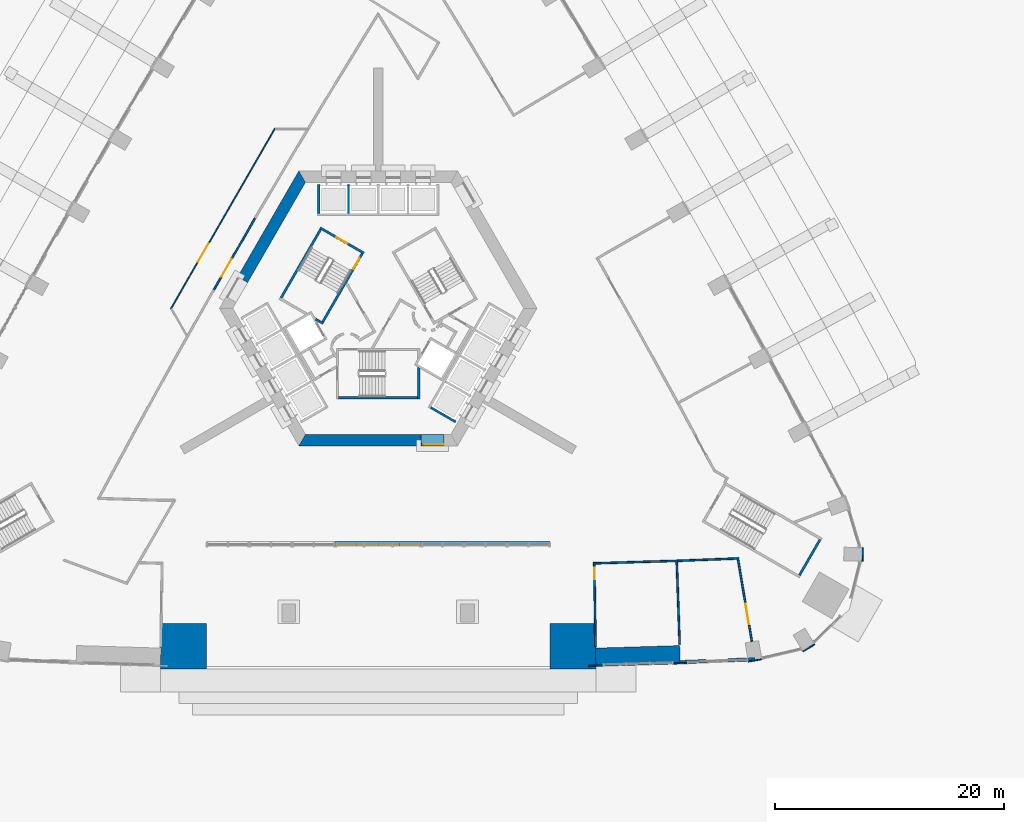
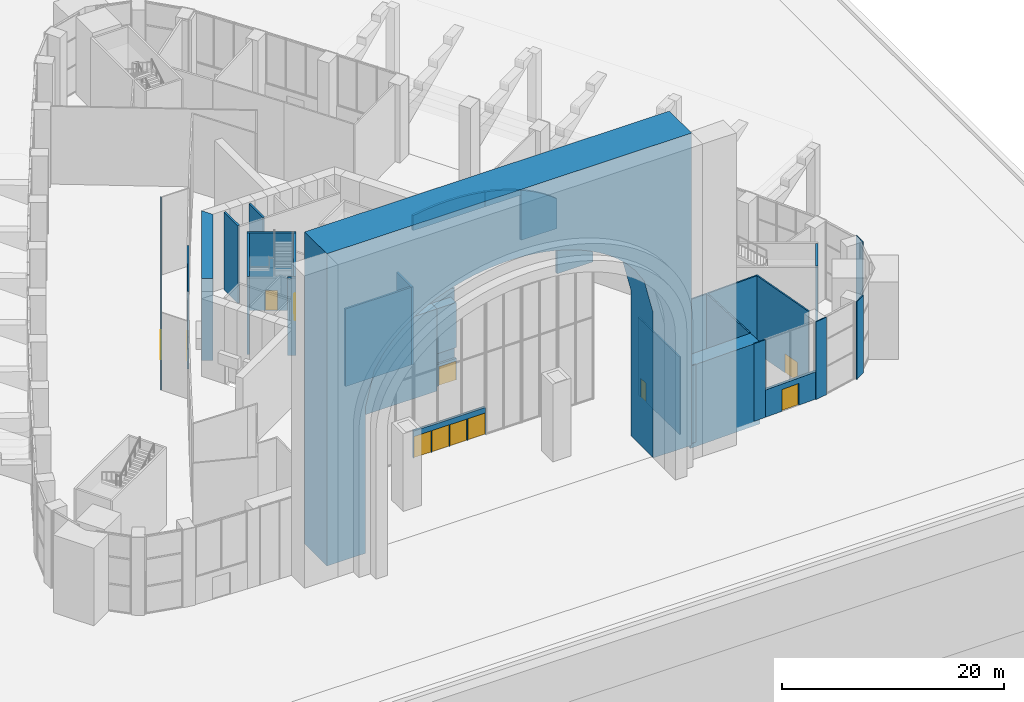
# One storey, part 16 of 36: 34 walls, 12 doors, 12 openings.
"""IFC4 building model written with IfcOpenShell, lengths in metres."""

from ifc_helpers import new_model, si_unit, direction, frame, frame_2d, origin, place, context, subcontext, project, spatial, polyline, rectangle, outline, extrude, material, layer, layer_set, type_object, element, fill, save


model = new_model("IFC4")

# Units and contexts
model_context = context("Model", 3, precision=1e-05, world=origin(), true_north=direction((0.0, 1.0)))
body_context = subcontext(model_context, "Body", "Model", "MODEL_VIEW")
ifc_project = project(units=[si_unit("LENGTHUNIT", "METRE"), si_unit("AREAUNIT", "SQUARE_METRE"), si_unit("VOLUMEUNIT", "CUBIC_METRE"), si_unit("PLANEANGLEUNIT", "RADIAN"), si_unit("MASSUNIT", "GRAM", prefix="KILO")], contexts=[model_context])

# Site, building, storey
site_placement = place(None, origin())
site = spatial("IfcSite", under=ifc_project, at=site_placement, CompositionType="ELEMENT")
building_placement = place(site_placement, origin())
building = spatial("IfcBuilding", under=site, at=building_placement, Name="Entoto Arch Interchange Tower", CompositionType="ELEMENT")
storey_placement = place(building_placement, origin())
storey = spatial("IfcBuildingStorey", under=building, at=storey_placement, Name="L00", CompositionType="ELEMENT", Elevation=0.0)

# Walls
ifc_material_1 = material(Name="Concrete C60/75", Category="concrete")
ifc_layer_1 = layer(ifc_material_1, 1.60009765625)
ifc_layer_set_1 = layer_set([ifc_layer_1], Name="Concrete C60/75")
wall_type_1 = type_object("IfcWallType", Name="Arch leg wall 1600 C60/75", PredefinedType="SHEAR", material=ifc_layer_set_1)
wall_1_placement = place(storey_placement, frame((0.0, 0.0, -0.5)))
element("IfcWall", 1, at=wall_1_placement, inside=storey, type_object=wall_type_1, Name="Arch leg E L00", PredefinedType="SHEAR", context=body_context, shape_type="SweptSolid", body=[
    extrude(outline(polyline([(19.0, -28.761962890625), (26.376953125, -28.5400390625), (26.321044921875, -26.94091796875), (18.97607421875, -27.162109375), (19.0, -28.761962890625)])), origin(), (0.0, 0.0, 1.0), 9.050048828125),
])
ifc_layer_2 = layer(ifc_material_1, 4.0)
ifc_layer_set_2 = layer_set([ifc_layer_2], Name="Concrete C60/75")
wall_type_2 = type_object("IfcWallType", Name="Arch transfer wall 4000 C60/75", PredefinedType="SHEAR", material=ifc_layer_set_2)
wall_2_placement = place(storey_placement, frame((-19.0, -25.0, 34.39990234375), z_axis=(0.0, 1.0, 0.0), x_axis=(1.0, 0.0, 0.0)))
element("IfcWall", 2, at=wall_2_placement, inside=storey, type_object=wall_type_2, Name="Arch transfer wall", PredefinedType="SHEAR", context=body_context, shape_type="SweptSolid", body=[
    extrude(outline(polyline([(0.0, 0.0), (38.0, 0.0), (38.0, 34.39990234375), (34.0, 34.39990234375), (34.0, 18.39990234375), (33.06201171875, 14.572021484375), (32.125, 13.074951171875), (31.18798828125, 11.98681640625), (30.25, 11.1240234375), (29.31201171875, 10.411865234375), (28.375, 9.81298828125), (27.43798828125, 9.304931640625), (26.5, 8.8740234375), (25.56201171875, 8.5087890625), (24.625, 8.202880859375), (23.68798828125, 7.950927734375), (22.75, 7.7490234375), (21.81201171875, 7.594970703125), (20.875, 7.48583984375), (19.93798828125, 7.421875), (19.0, 7.39990234375), (18.06201171875, 7.421875), (17.125, 7.48583984375), (16.18798828125, 7.594970703125), (15.25, 7.7490234375), (14.31201171875, 7.950927734375), (13.375, 8.202880859375), (12.43798828125, 8.5087890625), (11.5, 8.8740234375), (10.56201171875, 9.304931640625), (9.625, 9.81298828125), (8.68798828125, 10.411865234375), (7.75, 11.1240234375), (6.81201171875, 11.98681640625), (5.875, 13.074951171875), (4.93798828125, 14.572021484375), (4.0, 18.39990234375), (4.0, 34.39990234375), (0.0, 34.39990234375), (0.0, 0.0)])), origin(), (0.0, 0.0, -1.0), 4.0),
])

# Wall, opening, door
ifc_material_2 = material(Name="Reinforced concrete C40/50", Category="concrete")
ifc_layer_3 = layer(ifc_material_2, 0.199951171875)
ifc_layer_set_3 = layer_set([ifc_layer_3], Name="Reinforced concrete C40/50")
wall_type_3 = type_object("IfcWallType", Name="CORE GAP INFILL WALL", PredefinedType="PARTITIONING", material=ifc_layer_set_3)
wall_3_placement = place(storey_placement, frame((3.75, -9.39990234375, 0.0), z_axis=(0.0, 0.0, 1.0), x_axis=(1.0, 0.0, 0.0)))
wall_3 = element("IfcWall", 3, at=wall_3_placement, inside=storey, type_object=wall_type_3, Name="wall:L00:gap1", PredefinedType="PARTITIONING", context=body_context, shape_type="SweptSolid", body=[
    extrude(rectangle(XDim=2.0, YDim=0.199951171875, at=frame_2d((1.0, 0.0))), origin(), (0.0, 0.0, 1.0), 2.39990234375),
])
opening_1_placement = place(wall_3_placement, frame((0.18994140625, 0.0, 0.0)))
opening_1 = element("IfcOpeningElement", 4, at=opening_1_placement, cuts=wall_3, Name="Opening L00-D91", PredefinedType="OPENING", context=body_context, shape_type="SweptSolid", body=[
    extrude(rectangle(XDim=1.800048828125, YDim=2.10009765625, at=frame_2d((0.89990234375, 1.050048828125))), frame((0.0, 0.10986328125, 0.0), z_axis=(0.0, -1.0, 0.0), x_axis=(1.0, 0.0, 0.0)), (0.0, 0.0, 1.0), 0.219970703125),
])
ifc_material_3 = material(Name="Fire-rated Steel S235 door and frame", Category="steel")
door_type_1 = type_object("IfcDoorType", Name="DOOR FD-18 1800x2100", OperationType="DOUBLE_DOOR_SINGLE_SWING", PredefinedType="DOOR", material=ifc_material_3)
door_1_placement = place(opening_1_placement, origin())
door_1 = element("IfcDoor", 5, at=door_1_placement, inside=storey, type_object=door_type_1, Name="door:L00:gap1", OperationType="DOUBLE_DOOR_SINGLE_SWING", OverallHeight=2.10009765625, OverallWidth=1.800048828125, PredefinedType="DOOR", context=body_context, shape_type="SweptSolid", body=[
    extrude(rectangle(XDim=1.800048828125, YDim=2.10009765625, at=frame_2d((0.89990234375, 1.050048828125))), frame((0.0, 0.02490234375, 0.0), z_axis=(0.0, -1.0, 0.0), x_axis=(1.0, 0.0, 0.0)), (0.0, 0.0, 1.0), 0.050048828125),
])
fill(opening_1, door_1)

# Walls
ifc_layer_4 = layer(ifc_material_1, 1.0)
ifc_layer_set_4 = layer_set([ifc_layer_4], Name="Concrete C60/75")
wall_type_4 = type_object("IfcWallType", Name="Core wall 1000 C60/75", PredefinedType="SHEAR", material=ifc_layer_set_4)
wall_4_placement = place(storey_placement, frame((0.0, 0.0, -0.5)))
element("IfcWall", 6, at=wall_4_placement, inside=storey, type_object=wall_type_4, Name="Core wall NW L00", PredefinedType="SHEAR", context=body_context, shape_type="SweptSolid", body=[
    extrude(outline(polyline([(-12.26708984375, 5.251953125), (-11.402099609375, 4.751953125), (-6.35107421875, 13.5), (-6.927978515625, 14.5), (-12.26708984375, 5.251953125)])), origin(), (0.0, 0.0, 1.0), 9.050048828125),
])
wall_5_placement = place(storey_placement, frame((0.0, 0.0, -0.5)))
element("IfcWall", 7, at=wall_5_placement, inside=storey, type_object=wall_type_4, Name="Core wall S L00", PredefinedType="SHEAR", context=body_context, shape_type="SweptSolid", body=[
    extrude(outline(polyline([(3.75, -9.5), (3.75, -8.5), (-6.35107421875, -8.5), (-6.927978515625, -9.5), (3.75, -9.5)])), origin(), (0.0, 0.0, 1.0), 9.050048828125),
])
wall_6_placement = place(storey_placement, frame((0.0, 0.0, 3.60009765625)))
element("IfcWall", 8, at=wall_6_placement, inside=storey, type_object=wall_type_4, Name="Core wall lintel S L00", PredefinedType="SHEAR", context=body_context, shape_type="SweptSolid", body=[
    extrude(outline(polyline([(5.75, -9.5), (5.75, -8.5), (3.75, -8.5), (3.75, -9.5), (5.75, -9.5)])), origin(), (0.0, 0.0, 1.0), 4.949951171875),
])
ifc_material_4 = material(Name="Concrete C40/50", Category="concrete")
ifc_layer_5 = layer(ifc_material_4, 0.199951171875)
ifc_layer_set_5 = layer_set([ifc_layer_5], Name="Concrete C40/50")
wall_type_5 = type_object("IfcWallType", Name="LIFT SHAFT WALL 200", PredefinedType="STANDARD", material=ifc_layer_set_5)
for number, where, z_axis, x_axis, name in (
    (9, (-2.60009765625, 10.800048828125, 0.0), (0.0, 0.0, 1.0), (0.0, 1.0, 0.0), "Shaft wall N3 cross 4"),
    (10, (-5.199951171875, 10.800048828125, 0.0), (0.0, 0.0, 1.0), (0.0, 1.0, 0.0), "Shaft wall N3 cross 5"),
    (11, (4.587890625, -6.153076171875, 0.0), (0.0, 0.0, 1.0), (0.866022959057, -0.500004234368, 0.0), "Shaft wall SE3 cross 1"),
):
    element("IfcWall", number, at=place(storey_placement, frame(where, z_axis=z_axis, x_axis=x_axis)), inside=storey, type_object=wall_type_5, Name=name, PredefinedType="STANDARD", context=body_context, shape_type="SweptSolid", body=[
        extrude(rectangle(XDim=2.5, YDim=0.199951171875, at=frame_2d((1.25, 0.0))), origin(), (0.0, 0.0, 1.0), 8.550048828125),
    ])

# Wall, opening, door
ifc_material_5 = material(Name="Gypsum board partition on steel studs", Category="steel")
ifc_layer_6 = layer(ifc_material_5, 0.10009765625)
ifc_layer_set_6 = layer_set([ifc_layer_6], Name="Gypsum board partition on steel studs")
wall_type_6 = type_object("IfcWallType", Name="PARTITION 100", PredefinedType="PARTITIONING", material=ifc_layer_set_6)
wall_7_placement = place(storey_placement, frame((-18.10693359375, 2.45703125, 0.0), z_axis=(0.0, 0.0, 1.0), x_axis=(0.499997929316, 0.866026599291, 0.0)))
wall_7 = element("IfcWall", 12, at=wall_7_placement, inside=storey, type_object=wall_type_6, Name="wall:L00:p029", PredefinedType="PARTITIONING", context=body_context, shape_type="SweptSolid", body=[
    extrude(rectangle(XDim=18.181640625, YDim=0.10009765625, at=frame_2d((9.0908203125, 0.0))), origin(), (0.0, 0.0, 1.0), 8.550048828125),
])
opening_2_placement = place(wall_7_placement, frame((4.75390625, 0.0, 0.0)))
opening_2 = element("IfcOpeningElement", 13, at=opening_2_placement, cuts=wall_7, Name="Opening L00-D09", PredefinedType="OPENING", context=body_context, shape_type="SweptSolid", body=[
    extrude(rectangle(XDim=1.800048828125, YDim=2.10009765625, at=frame_2d((0.89990234375, 1.050048828125))), frame((0.0, 0.06005859375, 0.0), z_axis=(0.0, -1.0, 0.0), x_axis=(1.0, 0.0, 0.0)), (0.0, 0.0, 1.0), 0.1201171875),
])
ifc_material_6 = material(Name="Timber door leaf in Steel S235 frame", Category="steel")
door_type_2 = type_object("IfcDoorType", Name="DOOR DD-18 1800x2100", OperationType="DOUBLE_DOOR_SINGLE_SWING", PredefinedType="DOOR", material=ifc_material_6)
door_2_placement = place(opening_2_placement, origin())
door_2 = element("IfcDoor", 14, at=door_2_placement, inside=storey, type_object=door_type_2, Name="door:L00:09", OperationType="DOUBLE_DOOR_SINGLE_SWING", OverallHeight=2.10009765625, OverallWidth=1.800048828125, PredefinedType="DOOR", context=body_context, shape_type="SweptSolid", body=[
    extrude(rectangle(XDim=1.800048828125, YDim=2.10009765625, at=frame_2d((0.89990234375, 1.050048828125))), frame((0.0, 0.02490234375, 0.0), z_axis=(0.0, -1.0, 0.0), x_axis=(1.0, 0.0, 0.0)), (0.0, 0.0, 1.0), 0.050048828125),
])
fill(opening_2, door_2)

ifc_layer_7 = layer(ifc_material_5, 0.14990234375)
ifc_layer_set_7 = layer_set([ifc_layer_7], Name="Gypsum board partition on steel studs")
wall_type_7 = type_object("IfcWallType", Name="PARTITION 150", PredefinedType="PARTITIONING", material=ifc_layer_set_7)
wall_8_placement = place(storey_placement, frame((-10.7548828125, 10.35400390625, 0.0), z_axis=(0.0, 0.0, 1.0), x_axis=(-0.49996876383, -0.866043437245, 0.0)))
wall_8 = element("IfcWall", 15, at=wall_8_placement, inside=storey, type_object=wall_type_7, Name="wall:L00:p031", PredefinedType="PARTITIONING", context=body_context, shape_type="SweptSolid", body=[
    extrude(rectangle(XDim=7.1787109375, YDim=0.14990234375, at=frame_2d((3.58935546875, 0.0))), origin(), (0.0, 0.0, 1.0), 8.550048828125),
])
opening_3_placement = place(wall_8_placement, frame((4.0791015625, 0.0, 0.0)))
opening_3 = element("IfcOpeningElement", 16, at=opening_3_placement, cuts=wall_8, Name="Opening L00-D10", PredefinedType="OPENING", context=body_context, shape_type="SweptSolid", body=[
    extrude(rectangle(XDim=1.800048828125, YDim=2.10009765625, at=frame_2d((0.89990234375, 1.050048828125))), frame((0.0, 0.0849609375, 0.0), z_axis=(0.0, -1.0, 0.0), x_axis=(1.0, 0.0, 0.0)), (0.0, 0.0, 1.0), 0.169921875),
])
door_3_placement = place(opening_3_placement, origin())
door_3 = element("IfcDoor", 17, at=door_3_placement, inside=storey, type_object=door_type_2, Name="door:L00:10", OperationType="DOUBLE_DOOR_SINGLE_SWING", OverallHeight=2.10009765625, OverallWidth=1.800048828125, PredefinedType="DOOR", context=body_context, shape_type="SweptSolid", body=[
    extrude(rectangle(XDim=1.800048828125, YDim=2.10009765625, at=frame_2d((0.89990234375, 1.050048828125))), frame((0.0, 0.02490234375, 0.0), z_axis=(0.0, -1.0, 0.0), x_axis=(1.0, 0.0, 0.0)), (0.0, 0.0, 1.0), 0.050048828125),
])
fill(opening_3, door_3)

# Wall
wall_9_placement = place(storey_placement, frame((26.06005859375, -19.469970703125, 0.0), z_axis=(0.0, 0.0, 1.0), x_axis=(0.034912620967, -0.999390368623, 0.0)))
element("IfcWall", 18, at=wall_9_placement, inside=storey, type_object=wall_type_7, Name="wall:L00:p049", PredefinedType="PARTITIONING", context=body_context, shape_type="SweptSolid", body=[
    extrude(rectangle(XDim=7.3564453125, YDim=0.14990234375, at=frame_2d((3.67822265625, 0.0))), origin(), (0.0, 0.0, 1.0), 8.550048828125),
])

# Wall, opening, door
wall_10_placement = place(storey_placement, frame((18.97509765625, -27.0419921875, 0.0), z_axis=(0.0, 0.0, 1.0), x_axis=(-0.015101510801, 0.999885965684, 0.0)))
wall_10 = element("IfcWall", 19, at=wall_10_placement, inside=storey, type_object=wall_type_7, Name="wall:L00:p050", PredefinedType="PARTITIONING", context=body_context, shape_type="SweptSolid", body=[
    extrude(rectangle(XDim=7.355712890625, YDim=0.14990234375, at=frame_2d((3.677734375, 0.0))), origin(), (0.0, 0.0, 1.0), 8.550048828125),
])
opening_4_placement = place(wall_10_placement, frame((5.909912109375, 0.0, 0.0)))
opening_4 = element("IfcOpeningElement", 20, at=opening_4_placement, cuts=wall_10, Name="Opening L00-D02", PredefinedType="OPENING", context=body_context, shape_type="SweptSolid", body=[
    extrude(rectangle(XDim=1.0, YDim=2.10009765625, at=frame_2d((0.5, 1.050048828125))), frame((0.0, 0.0849609375, 0.0), z_axis=(0.0, -1.0, 0.0), x_axis=(1.0, 0.0, 0.0)), (0.0, 0.0, 1.0), 0.169921875),
])
door_type_3 = type_object("IfcDoorType", Name="DOOR FD-10 1000x2100", OperationType="SINGLE_SWING_LEFT", PredefinedType="DOOR", material=ifc_material_3)
door_4_placement = place(opening_4_placement, origin())
door_4 = element("IfcDoor", 21, at=door_4_placement, inside=storey, type_object=door_type_3, Name="door:L00:02", OperationType="SINGLE_SWING_LEFT", OverallHeight=2.10009765625, OverallWidth=1.0, PredefinedType="DOOR", context=body_context, shape_type="SweptSolid", body=[
    extrude(rectangle(XDim=1.0, YDim=2.10009765625, at=frame_2d((0.5, 1.050048828125))), frame((0.0, 0.02490234375, 0.0), z_axis=(0.0, -1.0, 0.0), x_axis=(1.0, 0.0, 0.0)), (0.0, 0.0, 1.0), 0.050048828125),
])
fill(opening_4, door_4)

# Walls
wall_11_placement = place(storey_placement, frame((18.93994140625, -19.760009765625, 0.0), z_axis=(0.0, 0.0, 1.0), x_axis=(0.999544128502, 0.030191640862, 0.0)))
element("IfcWall", 22, at=wall_11_placement, inside=storey, type_object=wall_type_7, Name="wall:L00:p051", PredefinedType="PARTITIONING", context=body_context, shape_type="SweptSolid", body=[
    extrude(rectangle(XDim=7.05126953125, YDim=0.14990234375, at=frame_2d((3.525634765625, 0.0))), origin(), (0.0, 0.0, 1.0), 8.550048828125),
])
wall_12_placement = place(storey_placement, frame((26.139892578125, -19.5419921875, 0.0), z_axis=(0.0, 0.0, 1.0), x_axis=(0.99924214326, 0.038924788152, 0.0)))
element("IfcWall", 23, at=wall_12_placement, inside=storey, type_object=wall_type_7, Name="wall:L00:p052", PredefinedType="PARTITIONING", context=body_context, shape_type="SweptSolid", body=[
    extrude(rectangle(XDim=5.18701171875, YDim=0.14990234375, at=frame_2d((2.593505859375, 0.0))), origin(), (0.0, 0.0, 1.0), 8.550048828125),
])

# Wall, opening, door
wall_13_placement = place(storey_placement, frame((31.385009765625, -19.262939453125, 0.0), z_axis=(0.0, 0.0, 1.0), x_axis=(0.166908436499, -0.985972400134, 0.0)))
wall_13 = element("IfcWall", 24, at=wall_13_placement, inside=storey, type_object=wall_type_7, Name="wall:L00:p053", PredefinedType="PARTITIONING", context=body_context, shape_type="SweptSolid", body=[
    extrude(rectangle(XDim=7.42919921875, YDim=0.14990234375, at=frame_2d((3.714599609375, 0.0))), origin(), (0.0, 0.0, 1.0), 8.550048828125),
])
opening_5_placement = place(wall_13_placement, frame((4.087890625, 0.0, 0.0)))
opening_5 = element("IfcOpeningElement", 25, at=opening_5_placement, cuts=wall_13, Name="Opening L00-D03", PredefinedType="OPENING", context=body_context, shape_type="SweptSolid", body=[
    extrude(rectangle(XDim=1.800048828125, YDim=2.10009765625, at=frame_2d((0.89990234375, 1.050048828125))), frame((0.0, 0.0849609375, 0.0), z_axis=(0.0, -1.0, 0.0), x_axis=(1.0, 0.0, 0.0)), (0.0, 0.0, 1.0), 0.169921875),
])
door_5_placement = place(opening_5_placement, origin())
door_5 = element("IfcDoor", 26, at=door_5_placement, inside=storey, type_object=door_type_2, Name="door:L00:03", OperationType="DOUBLE_DOOR_SINGLE_SWING", OverallHeight=2.10009765625, OverallWidth=1.800048828125, PredefinedType="DOOR", context=body_context, shape_type="SweptSolid", body=[
    extrude(rectangle(XDim=1.800048828125, YDim=2.10009765625, at=frame_2d((0.89990234375, 1.050048828125))), frame((0.0, 0.02490234375, 0.0), z_axis=(0.0, -1.0, 0.0), x_axis=(1.0, 0.0, 0.0)), (0.0, 0.0, 1.0), 0.050048828125),
])
fill(opening_5, door_5)

# Walls
ifc_layer_8 = layer(ifc_material_4, 0.199951171875)
ifc_layer_set_8 = layer_set([ifc_layer_8], Name="Concrete C40/50")
wall_type_8 = type_object("IfcWallType", Name="STAIR ENCLOSURE WALL 200", PredefinedType="STANDARD", material=ifc_layer_set_8)
wall_14_placement = place(storey_placement, frame((3.550048828125, -2.6669921875, 0.0), z_axis=(0.0, 0.0, 1.0), x_axis=(0.0, -1.0, 0.0)))
element("IfcWall", 27, at=wall_14_placement, inside=storey, type_object=wall_type_8, Name="Stair wall ST-S far", PredefinedType="STANDARD", context=body_context, shape_type="SweptSolid", body=[
    extrude(rectangle(XDim=2.73291015625, YDim=0.199951171875, at=frame_2d((1.366455078125, 0.0))), origin(), (0.0, 0.0, 1.0), 8.550048828125),
])
wall_15_placement = place(storey_placement, frame((-3.449951171875, -5.300048828125, 0.0), z_axis=(0.0, 0.0, 1.0), x_axis=(1.0, 0.0, 0.0)))
element("IfcWall", 28, at=wall_15_placement, inside=storey, type_object=wall_type_8, Name="Stair wall ST-S back", PredefinedType="STANDARD", context=body_context, shape_type="SweptSolid", body=[
    extrude(rectangle(XDim=6.89990234375, YDim=0.199951171875, at=frame_2d((3.449951171875, 0.0))), origin(), (0.0, 0.0, 1.0), 8.550048828125),
])

# Wall, opening, door
wall_16_placement = place(storey_placement, frame((-1.256103515625, 7.323974609375, 0.0), z_axis=(0.0, 0.0, 1.0), x_axis=(-0.866046073146, 0.499964197906, 0.0)))
wall_16 = element("IfcWall", 29, at=wall_16_placement, inside=storey, type_object=wall_type_8, Name="Stair wall ST-NW near", PredefinedType="STANDARD", context=body_context, shape_type="SweptSolid", body=[
    extrude(rectangle(XDim=4.400146484375, YDim=0.199951171875, at=frame_2d((2.2001953125, 0.0))), origin(), (0.0, 0.0, 1.0), 8.550048828125),
])
opening_6_placement = place(wall_16_placement, frame((1.64990234375, 0.0, 0.0)))
opening_6 = element("IfcOpeningElement", 30, at=opening_6_placement, cuts=wall_16, Name="Opening SD-ST-NW-L00-E", PredefinedType="OPENING", context=body_context, shape_type="SweptSolid", body=[
    extrude(rectangle(XDim=1.10009765625, YDim=2.199951171875, at=frame_2d((0.550048828125, 1.10009765625))), frame((0.0, 0.10986328125, 0.0), z_axis=(0.0, -1.0, 0.0), x_axis=(1.0, 0.0, 0.0)), (0.0, 0.0, 1.0), 0.219970703125),
])
ifc_material_7 = material(Name="Steel S235", Category="steel")
door_type_4 = type_object("IfcDoorType", Name="STAIR DOOR SD1 1100x2200", OperationType="SINGLE_SWING_LEFT", PredefinedType="DOOR", material=ifc_material_7)
door_6_placement = place(opening_6_placement, origin())
door_6 = element("IfcDoor", 31, at=door_6_placement, inside=storey, type_object=door_type_4, Name="Stair door ST-NW L00 end", OperationType="SINGLE_SWING_LEFT", OverallHeight=2.199951171875, OverallWidth=1.10009765625, PredefinedType="DOOR", context=body_context, shape_type="SweptSolid", body=[
    extrude(rectangle(XDim=1.10009765625, YDim=2.199951171875, at=frame_2d((0.550048828125, 1.10009765625))), frame((0.0, 0.02490234375, 0.0), z_axis=(0.0, -1.0, 0.0), x_axis=(1.0, 0.0, 0.0)), (0.0, 0.0, 1.0), 0.050048828125),
])
fill(opening_6, door_6)

# Wall
wall_17_placement = place(storey_placement, frame((-4.805908203125, 1.176025390625, 0.0), z_axis=(0.0, 0.0, 1.0), x_axis=(-0.866558586415, 0.499075361355, 0.0)))
element("IfcWall", 32, at=wall_17_placement, inside=storey, type_object=wall_type_8, Name="Stair wall ST-NW far return", PredefinedType="STANDARD", context=body_context, shape_type="SweptSolid", body=[
    extrude(rectangle(XDim=0.75146484375, YDim=0.199951171875, at=frame_2d((0.375732421875, 0.0))), origin(), (0.0, 0.0, 1.0), 8.550048828125),
])

# Wall, opening, door
wall_18_placement = place(storey_placement, frame((-1.39306640625, 7.2880859375, 0.0), z_axis=(0.0, 0.0, 1.0), x_axis=(-0.499963383562, -0.866046543262, 0.0)))
wall_18 = element("IfcWall", 33, at=wall_18_placement, inside=storey, type_object=wall_type_8, Name="Stair wall ST-NW hall", PredefinedType="STANDARD", context=body_context, shape_type="SweptSolid", body=[
    extrude(rectangle(XDim=6.900390625, YDim=0.199951171875, at=frame_2d((3.4501953125, 0.0))), origin(), (0.0, 0.0, 1.0), 8.550048828125),
])
opening_7_placement = place(wall_18_placement, frame((0.449951171875, 0.0, 0.0)))
opening_7 = element("IfcOpeningElement", 34, at=opening_7_placement, cuts=wall_18, Name="Opening SD-ST-NW-L00", PredefinedType="OPENING", context=body_context, shape_type="SweptSolid", body=[
    extrude(rectangle(XDim=1.10009765625, YDim=2.199951171875, at=frame_2d((0.550048828125, 1.10009765625))), frame((0.0, 0.10986328125, 0.0), z_axis=(0.0, -1.0, 0.0), x_axis=(1.0, 0.0, 0.0)), (0.0, 0.0, 1.0), 0.219970703125),
])
door_7_placement = place(opening_7_placement, origin())
door_7 = element("IfcDoor", 35, at=door_7_placement, inside=storey, type_object=door_type_4, Name="Stair door ST-NW L00", OperationType="SINGLE_SWING_LEFT", OverallHeight=2.199951171875, OverallWidth=1.10009765625, PredefinedType="DOOR", context=body_context, shape_type="SweptSolid", body=[
    extrude(rectangle(XDim=1.10009765625, YDim=2.199951171875, at=frame_2d((0.550048828125, 1.10009765625))), frame((0.0, 0.02490234375, 0.0), z_axis=(0.0, -1.0, 0.0), x_axis=(1.0, 0.0, 0.0)), (0.0, 0.0, 1.0), 0.050048828125),
])
fill(opening_7, door_7)

# Walls
wall_19_placement = place(storey_placement, frame((-5.030029296875, 9.387939453125, 0.0), z_axis=(0.0, 0.0, 1.0), x_axis=(-0.499978703459, -0.866037698999, 0.0)))
element("IfcWall", 36, at=wall_19_placement, inside=storey, type_object=wall_type_8, Name="Stair wall ST-NW back", PredefinedType="STANDARD", context=body_context, shape_type="SweptSolid", body=[
    extrude(rectangle(XDim=6.900146484375, YDim=0.199951171875, at=frame_2d((3.4501953125, 0.0))), origin(), (0.0, 0.0, 1.0), 8.550048828125),
])
wall_20_placement = place(storey_placement, frame((36.77197265625, -20.80908203125, 0.0), z_axis=(0.0, 0.0, 1.0), x_axis=(0.49995333141, 0.866052346231, 0.0)))
element("IfcWall", 37, at=wall_20_placement, inside=storey, type_object=wall_type_8, Name="Stair wall PST-SE far", PredefinedType="STANDARD", context=body_context, shape_type="SweptSolid", body=[
    extrude(rectangle(XDim=3.600341796875, YDim=0.199951171875, at=frame_2d((1.80029296875, 0.0))), origin(), (0.0, 0.0, 1.0), 8.550048828125),
])

# Wall, opening, door
ifc_material_8 = material(Name="Welded tuff (ignimbrite) cladding, warm buff", Category="masonry")
ifc_layer_9 = layer(ifc_material_8, 0.300048828125)
ifc_layer_set_9 = layer_set([ifc_layer_9], Name="Welded tuff (ignimbrite) cladding, warm buff")
wall_type_9 = type_object("IfcWallType", Name="STONE INFILL WALL 300", PredefinedType="STANDARD", material=ifc_layer_set_9)
wall_21_placement = place(storey_placement, frame((32.906005859375, -28.134033203125, 0.0), z_axis=(0.0, 0.0, 1.0), x_axis=(-0.999234642094, -0.039116876654, 0.0)))
wall_21 = element("IfcWall", 38, at=wall_21_placement, inside=storey, type_object=wall_type_9, Name="Entrance wall S-05 L00", PredefinedType="STANDARD", context=body_context, shape_type="SweptSolid", body=[
    extrude(rectangle(XDim=6.541015625, YDim=0.300048828125, at=frame_2d((3.2705078125, 0.0))), origin(), (0.0, 0.0, 1.0), 3.0),
])
opening_8_placement = place(wall_21_placement, frame((2.37109375, 0.0, 0.0)))
opening_8 = element("IfcOpeningElement", 39, at=opening_8_placement, cuts=wall_21, Name="Opening DX-S-05", PredefinedType="OPENING", context=body_context, shape_type="SweptSolid", body=[
    extrude(rectangle(XDim=1.800048828125, YDim=2.39990234375, at=frame_2d((0.89990234375, 1.199951171875))), frame((0.0, 0.16015625, 0.0), z_axis=(0.0, -1.0, 0.0), x_axis=(1.0, 0.0, 0.0)), (0.0, 0.0, 1.0), 0.320068359375),
])
ifc_material_9 = material(Name="Aluminium and clear glass, anodised", Category="aluminium")
door_type_5 = type_object("IfcDoorType", Name="EXIT DOOR DX 1800x2400", OperationType="DOUBLE_DOOR_SINGLE_SWING", PredefinedType="DOOR", material=ifc_material_9)
door_8_placement = place(opening_8_placement, origin())
door_8 = element("IfcDoor", 40, at=door_8_placement, inside=storey, type_object=door_type_5, Name="Exit door S-05", OperationType="DOUBLE_DOOR_SINGLE_SWING", OverallHeight=2.39990234375, OverallWidth=1.800048828125, PredefinedType="DOOR", context=body_context, shape_type="SweptSolid", body=[
    extrude(rectangle(XDim=1.800048828125, YDim=2.39990234375, at=frame_2d((0.89990234375, 1.199951171875))), frame((0.0, 0.02490234375, 0.0), z_axis=(0.0, -1.0, 0.0), x_axis=(1.0, 0.0, 0.0)), (0.0, 0.0, 1.0), 0.050048828125),
])
fill(opening_8, door_8)

# Walls
ifc_layer_10 = layer(ifc_material_8, 0.10009765625)
ifc_layer_set_10 = layer_set([ifc_layer_10], Name="Welded tuff (ignimbrite) cladding, warm buff")
wall_type_10 = type_object("IfcWallType", Name="STONE PIER CLADDING 100", PredefinedType="STANDARD", material=ifc_layer_set_10)
wall_22_placement = place(storey_placement, frame((18.39892578125, -28.720947265625, 0.0), z_axis=(0.0, 0.0, 1.0), x_axis=(0.999886724523, 0.015051183404, 0.0)))
element("IfcWall", 41, at=wall_22_placement, inside=storey, type_object=wall_type_10, Name="Stone pier S04 L00", PredefinedType="STANDARD", context=body_context, shape_type="SweptSolid", body=[
    extrude(rectangle(XDim=1.200439453125, YDim=0.10009765625, at=frame_2d((0.60009765625, 0.0))), origin(), (0.0, 0.0, 1.0), 8.550048828125),
])
wall_23_placement = place(storey_placement, frame((25.77587890625, -28.510986328125, 0.0), z_axis=(0.0, 0.0, 1.0), x_axis=(0.999387493042, 0.034994838926, 0.0)))
element("IfcWall", 42, at=wall_23_placement, inside=storey, type_object=wall_type_10, Name="Stone pier S05 L00", PredefinedType="STANDARD", context=body_context, shape_type="SweptSolid", body=[
    extrude(rectangle(XDim=1.199951171875, YDim=0.10009765625, at=frame_2d((0.60009765625, 0.0))), origin(), (0.0, 0.0, 1.0), 8.550048828125),
])
wall_24_placement = place(storey_placement, frame((32.31103515625, -28.3349609375, 0.0), z_axis=(0.0, 0.0, 1.0), x_axis=(0.986011774526, 0.166675674579, 0.0)))
element("IfcWall", 43, at=wall_24_placement, inside=storey, type_object=wall_type_10, Name="Stone pier S06 L00", PredefinedType="STANDARD", context=body_context, shape_type="SweptSolid", body=[
    extrude(rectangle(XDim=1.19970703125, YDim=0.10009765625, at=frame_2d((0.599853515625, 0.0))), origin(), (0.0, 0.0, 1.0), 8.550048828125),
])
for number, where, z_axis, x_axis, name in (
    (44, (37.080078125, -27.448974609375, 0.0), (0.0, 0.0, 1.0), (0.854716608594, 0.519094903649, 0.0), "Stone pier SE1 L00"),
    (45, (42.283935546875, -19.587890625, 0.0), (0.0, 0.0, 1.0), (0.023391359968, 0.999726384707, 0.0), "Stone pier SE3 L00"),
):
    element("IfcWall", number, at=place(storey_placement, frame(where, z_axis=z_axis, x_axis=x_axis)), inside=storey, type_object=wall_type_10, Name=name, PredefinedType="STANDARD", context=body_context, shape_type="SweptSolid", body=[
        extrude(rectangle(XDim=1.2001953125, YDim=0.10009765625, at=frame_2d((0.60009765625, 0.0))), origin(), (0.0, 0.0, 1.0), 8.550048828125),
    ])
ifc_layer_11 = layer(ifc_material_8, 0.25)
ifc_layer_set_11 = layer_set([ifc_layer_11], Name="Welded tuff (ignimbrite) cladding, warm buff")
wall_type_11 = type_object("IfcWallType", Name="STONE SCREEN WALL 250", PredefinedType="STANDARD", material=ifc_layer_set_11)
wall_25_placement = place(storey_placement, frame((3.75, -18.0, 25.0), z_axis=(0.0, 0.0, 1.0), x_axis=(1.0, 0.0, 0.0)))
element("IfcWall", 46, at=wall_25_placement, inside=storey, type_object=wall_type_11, Name="Arch stone infill ARCH-06", PredefinedType="STANDARD", context=body_context, shape_type="SweptSolid", body=[
    extrude(outline(polyline([(0.0, 0.0), (3.75, 0.0), (3.75, 0.52587890625), (3.125, 0.777099609375), (2.5, 1.0), (1.875, 1.197021484375), (1.25, 1.37109375), (0.625, 1.52197265625), (0.0, 1.65087890625), (0.0, 0.0)])), frame((0.0, 0.125, 0.0), z_axis=(0.0, -1.0, 0.0), x_axis=(1.0, 0.0, 0.0)), (0.0, 0.0, 1.0), 0.25),
])
wall_26_placement = place(storey_placement, frame((7.5, -18.0, 20.0), z_axis=(0.0, 0.0, 1.0), x_axis=(1.0, 0.0, 0.0)))
element("IfcWall", 47, at=wall_26_placement, inside=storey, type_object=wall_type_11, Name="Arch stone infill ARCH-07", PredefinedType="STANDARD", context=body_context, shape_type="SweptSolid", body=[
    extrude(outline(polyline([(0.0, 0.0), (3.75, 0.0), (3.75, 3.27587890625), (3.125, 3.764892578125), (2.5, 4.198974609375), (1.875, 4.5869140625), (1.25, 4.93505859375), (0.625, 5.2470703125), (0.0, 5.52587890625), (0.0, 0.0)])), frame((0.0, 0.125, 0.0), z_axis=(0.0, -1.0, 0.0), x_axis=(1.0, 0.0, 0.0)), (0.0, 0.0, 1.0), 0.25),
])
wall_27_placement = place(storey_placement, frame((11.25, -18.0, 15.0), z_axis=(0.0, 0.0, 1.0), x_axis=(1.0, 0.0, 0.0)))
element("IfcWall", 48, at=wall_27_placement, inside=storey, type_object=wall_type_11, Name="Arch stone infill ARCH-08", PredefinedType="STANDARD", context=body_context, shape_type="SweptSolid", body=[
    extrude(outline(polyline([(0.0, 0.0), (3.75, 0.0), (3.75, 1.0), (3.125, 4.14208984375), (2.5, 5.39599609375), (1.875, 6.324951171875), (1.25, 7.080078125), (0.625, 7.719970703125), (0.0, 8.27587890625), (0.0, 0.0)])), frame((0.0, 0.125, 0.0), z_axis=(0.0, -1.0, 0.0), x_axis=(1.0, 0.0, 0.0)), (0.0, 0.0, 1.0), 0.25),
])

# Wall, openings, doors
wall_28_placement = place(storey_placement, frame((3.75, -18.125, 0.0), z_axis=(0.0, 0.0, 1.0), x_axis=(-1.0, 0.0, 0.0)))
wall_28 = element("IfcWall", 49, at=wall_28_placement, inside=storey, type_object=wall_type_11, Name="Arch entrance wall", PredefinedType="STANDARD", context=body_context, shape_type="SweptSolid", body=[
    extrude(rectangle(XDim=7.5, YDim=0.25, at=frame_2d((3.75, 0.0))), origin(), (0.0, 0.0, 1.0), 3.0),
])
opening_9_placement = place(wall_28_placement, frame((0.037109375, 0.0, 0.0)))
opening_9 = element("IfcOpeningElement", 50, at=opening_9_placement, cuts=wall_28, Name="Opening DX-ARCH-1", PredefinedType="OPENING", context=body_context, shape_type="SweptSolid", body=[
    extrude(rectangle(XDim=1.800048828125, YDim=2.39990234375, at=frame_2d((0.89990234375, 1.199951171875))), frame((0.0, 0.135009765625, 0.0), z_axis=(0.0, -1.0, 0.0), x_axis=(1.0, 0.0, 0.0)), (0.0, 0.0, 1.0), 0.27001953125),
])
opening_10_placement = place(wall_28_placement, frame((1.9130859375, 0.0, 0.0)))
opening_10 = element("IfcOpeningElement", 51, at=opening_10_placement, cuts=wall_28, Name="Opening DX-ARCH-2", PredefinedType="OPENING", context=body_context, shape_type="SweptSolid", body=[
    extrude(rectangle(XDim=1.800048828125, YDim=2.39990234375, at=frame_2d((0.89990234375, 1.199951171875))), frame((0.0, 0.135009765625, 0.0), z_axis=(0.0, -1.0, 0.0), x_axis=(1.0, 0.0, 0.0)), (0.0, 0.0, 1.0), 0.27001953125),
])
opening_11_placement = place(wall_28_placement, frame((3.7880859375, 0.0, 0.0)))
opening_11 = element("IfcOpeningElement", 52, at=opening_11_placement, cuts=wall_28, Name="Opening DX-ARCH-3", PredefinedType="OPENING", context=body_context, shape_type="SweptSolid", body=[
    extrude(rectangle(XDim=1.800048828125, YDim=2.39990234375, at=frame_2d((0.89990234375, 1.199951171875))), frame((0.0, 0.135009765625, 0.0), z_axis=(0.0, -1.0, 0.0), x_axis=(1.0, 0.0, 0.0)), (0.0, 0.0, 1.0), 0.27001953125),
])
opening_12_placement = place(wall_28_placement, frame((5.662109375, 0.0, 0.0)))
opening_12 = element("IfcOpeningElement", 53, at=opening_12_placement, cuts=wall_28, Name="Opening DX-ARCH-4", PredefinedType="OPENING", context=body_context, shape_type="SweptSolid", body=[
    extrude(rectangle(XDim=1.800048828125, YDim=2.39990234375, at=frame_2d((0.89990234375, 1.199951171875))), frame((0.0, 0.135009765625, 0.0), z_axis=(0.0, -1.0, 0.0), x_axis=(1.0, 0.0, 0.0)), (0.0, 0.0, 1.0), 0.27001953125),
])
door_9_placement = place(opening_9_placement, origin())
door_9 = element("IfcDoor", 54, at=door_9_placement, inside=storey, type_object=door_type_5, Name="Exit door ARCH-1", OperationType="DOUBLE_DOOR_SINGLE_SWING", OverallHeight=2.39990234375, OverallWidth=1.800048828125, PredefinedType="DOOR", context=body_context, shape_type="SweptSolid", body=[
    extrude(rectangle(XDim=1.800048828125, YDim=2.39990234375, at=frame_2d((0.89990234375, 1.199951171875))), frame((0.0, 0.02490234375, 0.0), z_axis=(0.0, -1.0, 0.0), x_axis=(1.0, 0.0, 0.0)), (0.0, 0.0, 1.0), 0.050048828125),
])
fill(opening_9, door_9)
door_10_placement = place(opening_10_placement, origin())
door_10 = element("IfcDoor", 55, at=door_10_placement, inside=storey, type_object=door_type_5, Name="Exit door ARCH-2", OperationType="DOUBLE_DOOR_SINGLE_SWING", OverallHeight=2.39990234375, OverallWidth=1.800048828125, PredefinedType="DOOR", context=body_context, shape_type="SweptSolid", body=[
    extrude(rectangle(XDim=1.800048828125, YDim=2.39990234375, at=frame_2d((0.89990234375, 1.199951171875))), frame((0.0, 0.02490234375, 0.0), z_axis=(0.0, -1.0, 0.0), x_axis=(1.0, 0.0, 0.0)), (0.0, 0.0, 1.0), 0.050048828125),
])
fill(opening_10, door_10)
door_11_placement = place(opening_11_placement, origin())
door_11 = element("IfcDoor", 56, at=door_11_placement, inside=storey, type_object=door_type_5, Name="Exit door ARCH-3", OperationType="DOUBLE_DOOR_SINGLE_SWING", OverallHeight=2.39990234375, OverallWidth=1.800048828125, PredefinedType="DOOR", context=body_context, shape_type="SweptSolid", body=[
    extrude(rectangle(XDim=1.800048828125, YDim=2.39990234375, at=frame_2d((0.89990234375, 1.199951171875))), frame((0.0, 0.02490234375, 0.0), z_axis=(0.0, -1.0, 0.0), x_axis=(1.0, 0.0, 0.0)), (0.0, 0.0, 1.0), 0.050048828125),
])
fill(opening_11, door_11)
door_12_placement = place(opening_12_placement, origin())
door_12 = element("IfcDoor", 57, at=door_12_placement, inside=storey, type_object=door_type_5, Name="Exit door ARCH-4", OperationType="DOUBLE_DOOR_SINGLE_SWING", OverallHeight=2.39990234375, OverallWidth=1.800048828125, PredefinedType="DOOR", context=body_context, shape_type="SweptSolid", body=[
    extrude(rectangle(XDim=1.800048828125, YDim=2.39990234375, at=frame_2d((0.89990234375, 1.199951171875))), frame((0.0, 0.02490234375, 0.0), z_axis=(0.0, -1.0, 0.0), x_axis=(1.0, 0.0, 0.0)), (0.0, 0.0, 1.0), 0.050048828125),
])
fill(opening_12, door_12)

# Wall
wall_29_placement = place(storey_placement, frame((-3.75, -18.0, 25.0), z_axis=(0.0, 0.0, 1.0), x_axis=(1.0, 0.0, 0.0)))
element("IfcWall", 58, at=wall_29_placement, inside=storey, type_object=wall_type_11, Name="Arch stone infill ARCH-ENT", PredefinedType="STANDARD", context=body_context, shape_type="SweptSolid", body=[
    extrude(outline(polyline([(0.0, 0.0), (7.5, 0.0), (7.5, 1.65087890625), (6.25, 1.845947265625), (5.0, 1.9619140625), (3.75, 2.0), (2.5, 1.9619140625), (1.25, 1.845947265625), (0.0, 1.65087890625), (0.0, 0.0)])), frame((0.0, 0.125, 0.0), z_axis=(0.0, -1.0, 0.0), x_axis=(1.0, 0.0, 0.0)), (0.0, 0.0, 1.0), 0.25),
])

save(model, "model.ifc")
